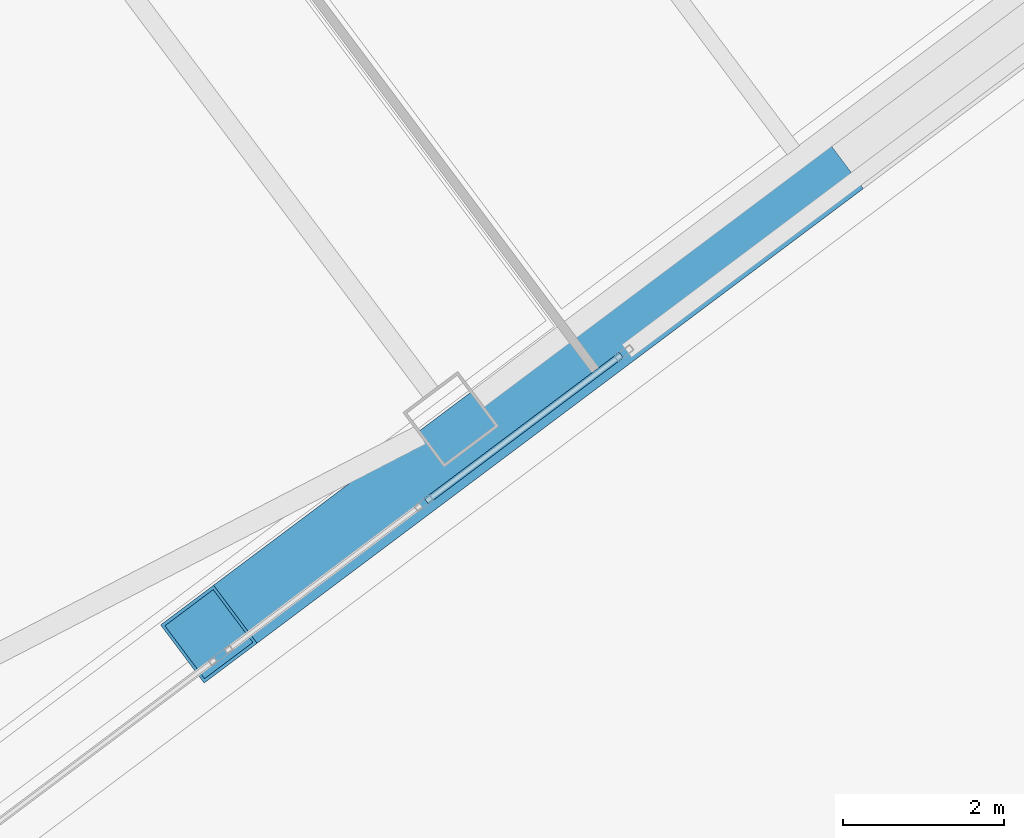
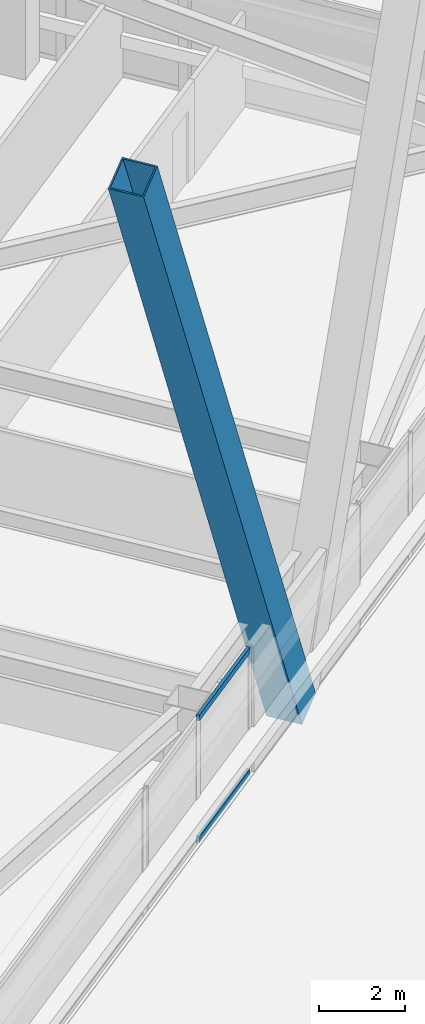
# One storey, part 36 of 83: 3 members, 1 element without a shape of its own.
"""IFC4 building model written with IfcOpenShell, lengths in metres."""

from ifc_helpers import new_model, si_unit, direction, frame, origin, origin_2d, place, context, subcontext, project, spatial, hollow_rectangle, extrude, material, material_profile, profile_set, type_object, element, aggregate, save


model = new_model("IFC4")

# Units and contexts
model_context = context("Model", 3, precision=1e-05, world=origin(), true_north=direction((0.0, 1.0)))
body_context = subcontext(model_context, "Body", "Model", "MODEL_VIEW")
ifc_project = project(units=[si_unit("LENGTHUNIT", "METRE"), si_unit("AREAUNIT", "SQUARE_METRE"), si_unit("VOLUMEUNIT", "CUBIC_METRE"), si_unit("PLANEANGLEUNIT", "RADIAN"), si_unit("MASSUNIT", "GRAM", prefix="KILO")], contexts=[model_context])

# Site, building, storey
site_placement = place(None, origin())
site = spatial("IfcSite", under=ifc_project, at=site_placement, CompositionType="ELEMENT")
building_placement = place(site_placement, origin())
building = spatial("IfcBuilding", under=site, at=building_placement, Name="Tashvorn Skyway Center", CompositionType="ELEMENT")
storey_placement = place(building_placement, frame((0.0, 0.0, 24.60009765625)))
storey = spatial("IfcBuildingStorey", under=building, at=storey_placement, Name="L05", CompositionType="ELEMENT", Elevation=24.60009765625)

# Curtain wall, members
ifc_material_1 = material(Name="Thermally broken bronze-anodized aluminium 6063-T6", Category="aluminium")
curtain_wall_type = type_object("IfcCurtainWallType", Name="CW-CW-Z1", PredefinedType="NOTDEFINED", material=ifc_material_1)
curtain_wall_placement = place(storey_placement, origin())
curtain_wall = element("IfcCurtainWall", 1, at=curtain_wall_placement, inside=storey, type_object=curtain_wall_type, Name="Tower 2 L05 South Unitised Curtain Wall Glazing Group 3", PredefinedType="NOTDEFINED")
ifc_material_profile_1 = material_profile(ifc_material_1, hollow_rectangle(XDim=0.0849609375, YDim=0.1650390625, WallThickness=0.0048828125, at=origin_2d()), Name="ALU-TRAN-85x165")
ifc_profile_set_1 = profile_set([ifc_material_profile_1], Name="Thermally broken bronze-anodized aluminium 6063-T6")
member_type_1 = type_object("IfcMemberType", Name="CWT-CW-Z1", PredefinedType="USERDEFINED", material=ifc_profile_set_1)
member_1_placement = place(storey_placement, frame((124.422607421875, 12.717041015625, 0.04248046875), z_axis=(-0.799990296182, -0.600012938206, 0.0), x_axis=(0.600012938206, -0.799990296182, 0.0)))
member_1 = element("IfcMember", 2, at=member_1_placement, type_object=member_type_1, Name="CW-Z1 transom 1.1", ObjectType="TRANSOM", PredefinedType="USERDEFINED", context=body_context, shape_type="SweptSolid", body=[
    extrude(hollow_rectangle(XDim=0.0849609375, YDim=0.1650390625, WallThickness=0.0048828125, at=origin_2d()), origin(), (0.0, 0.0, 1.0), 3.01904296875),
])
member_2_placement = place(storey_placement, frame((124.422607421875, 12.717041015625, 3.50732421875), z_axis=(-0.799990296182, -0.600012938206, 0.0), x_axis=(0.600012938206, -0.799990296182, 0.0)))
member_2 = element("IfcMember", 3, at=member_2_placement, type_object=member_type_1, Name="CW-Z1 transom 1.2", ObjectType="TRANSOM", PredefinedType="USERDEFINED", context=body_context, shape_type="SweptSolid", body=[
    extrude(hollow_rectangle(XDim=0.0849609375, YDim=0.1650390625, WallThickness=0.0048828125, at=origin_2d()), origin(), (0.0, 0.0, 1.0), 3.01904296875),
])
aggregate(curtain_wall, [member_1, member_2])

# Member
ifc_material_2 = material(Name="Steel ASTM A572 Grade 50", Category="steel")
ifc_material_profile_2 = material_profile(ifc_material_2, hollow_rectangle(XDim=0.89990234375, YDim=0.89990234375, WallThickness=0.0400390625, at=origin_2d()), Name="BOX900x900x40")
ifc_profile_set_2 = profile_set([ifc_material_profile_2], Name="Steel ASTM A572 Grade 50")
member_type_2 = type_object("IfcMemberType", Name="MEM-MB-900", PredefinedType="BRACE", material=ifc_profile_set_2)
member_3_placement = place(storey_placement, frame((126.827880859375, 14.89599609375, -0.22021484375), z_axis=(-0.3259307485, -0.244450706831, 0.91324312158), x_axis=(0.600004155685, -0.799996883219, 0.0)))
element("IfcMember", 4, at=member_3_placement, inside=storey, type_object=member_type_2, Name="Tower 2 Zone 1 S Chevron Mega-Brace L1", PredefinedType="BRACE", context=body_context, shape_type="SweptSolid", body=[
    extrude(hollow_rectangle(XDim=0.89990234375, YDim=0.89990234375, WallThickness=0.0400390625, at=origin_2d()), origin(), (0.0, 0.0, 1.0), 23.07177734375),
])

save(model, "model.ifc")
